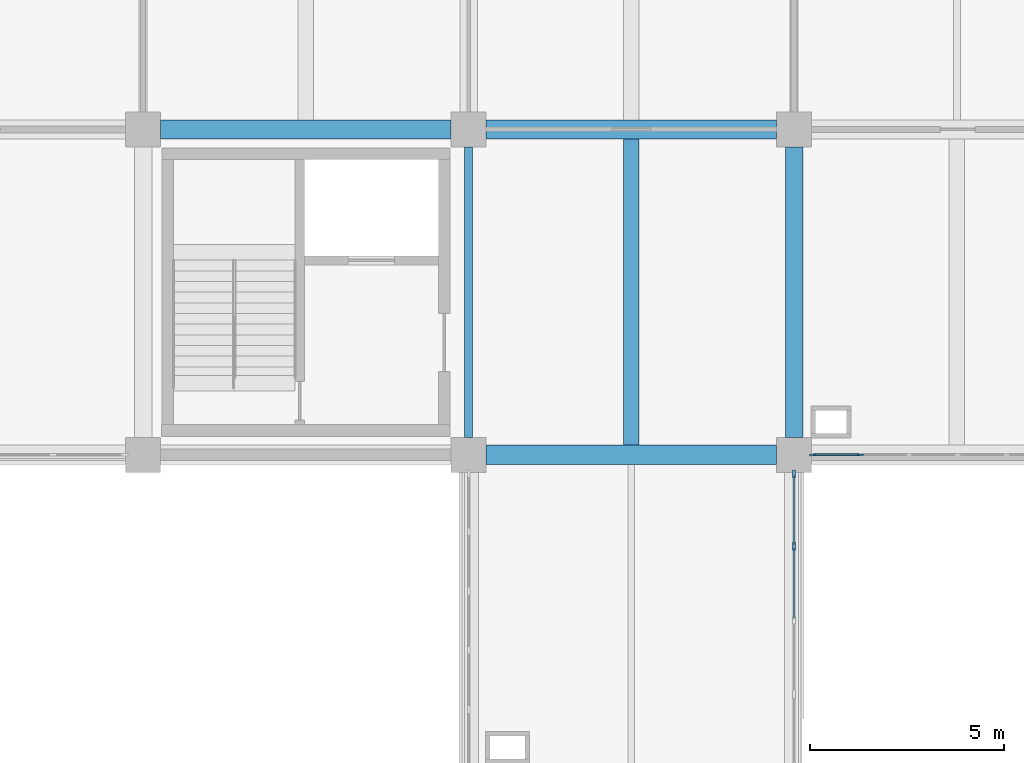
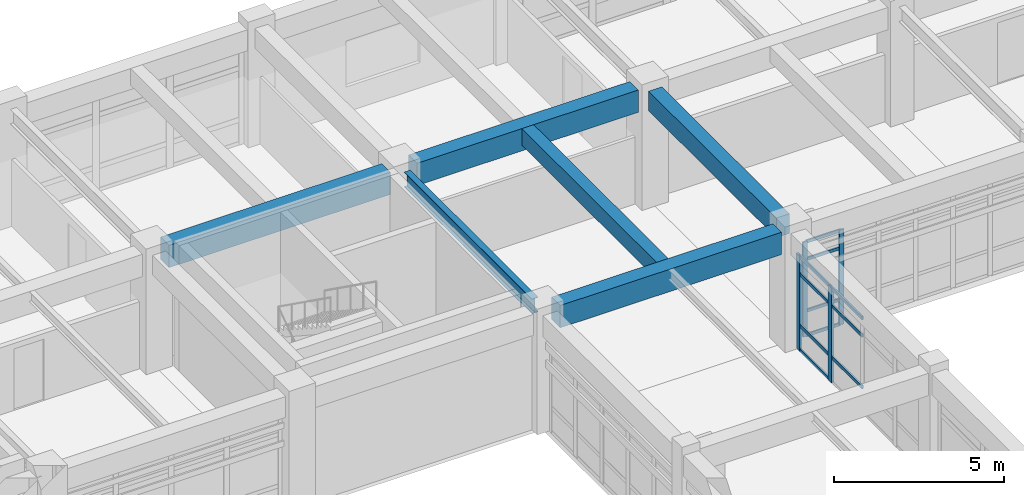
# One storey, part 41 of 99: 15 members, 6 beams, 2 elements without a shape of their own.
"""IFC4 building model written with IfcOpenShell, lengths in metres."""

import ifcopenshell
import ifcopenshell.guid

model = None  # the IFC model being written
_history = None  # IfcOwnerHistory: only IFC2X3 demands one
_inside = {}  # id of a spatial element -> (the spatial element, [elements in it])
_under = {}  # id of a project, library or spatial element -> (it, [spatial elements below it])
_declared = {}  # id of a project -> (the project, [libraries it declares])
_typed = {}  # id of a type object -> (the type object, [elements of that type])
_made_of = {}  # id of a material, layer set ... -> (it, [elements and type objects made of it])


def new_model(schema):
    """Start an empty IFC model of exactly this schema.

    Asked for "IFC4X3", IfcOpenShell would pick the latest addendum, in which some entities
    have other attributes; the version numbers below select the first issue.
    IFC2X3 requires an IfcOwnerHistory on every rooted entity: one is made here for all.
    """
    global model, _history
    if schema == "IFC4X3":
        model = ifcopenshell.file(schema_version=(4, 3, 0, 0))
    else:
        model = ifcopenshell.file(schema=schema)
    _inside.clear()
    _under.clear()
    _declared.clear()
    _typed.clear()
    _made_of.clear()
    _history = None
    if model.schema == "IFC2X3":
        org = make("IfcOrganization", Name="unknown")
        user = make(
            "IfcPersonAndOrganization",
            ThePerson=make("IfcPerson", FamilyName="unknown"),
            TheOrganization=org,
        )
        app = make(
            "IfcApplication",
            ApplicationDeveloper=org,
            Version="unknown",
            ApplicationFullName="unknown",
            ApplicationIdentifier="unknown",
        )
        _history = make(
            "IfcOwnerHistory",
            OwningUser=user,
            OwningApplication=app,
            ChangeAction="ADDED",
            CreationDate=0,
        )
    return model


def make(cls, **values):
    """One entity of the class cls with the attributes given. An attribute that is None is left unset."""
    return model.create_entity(
        cls, **{name: value for name, value in values.items() if value is not None}
    )


def rooted(cls, **values):
    """An entity with a GlobalId (a new one), such as an element, a storey or a relation."""
    return make(cls, GlobalId=ifcopenshell.guid.new(), OwnerHistory=_history, **values)


def si_unit(unit_type, name, prefix=None):
    """IfcSIUnit, for example si_unit("LENGTHUNIT", "METRE", prefix="MILLI")."""
    return make("IfcSIUnit", UnitType=unit_type, Prefix=prefix, Name=name)


def assignment(units):
    """IfcUnitAssignment: the units of a project."""
    return None if units is None else make("IfcUnitAssignment", Units=units)


def point(xyz):
    """IfcCartesianPoint."""
    return None if xyz is None else make("IfcCartesianPoint", Coordinates=xyz)


def direction(xyz):
    """IfcDirection."""
    return None if xyz is None else make("IfcDirection", DirectionRatios=xyz)


def frame(location, z_axis=None, x_axis=None):
    """IfcAxis2Placement3D, a coordinate frame: its origin and axes. An axis left out is left unset."""
    return make(
        "IfcAxis2Placement3D",
        Location=point(location),
        Axis=direction(z_axis),
        RefDirection=direction(x_axis),
    )


def frame_2d(location, x_axis=None):
    """IfcAxis2Placement2D, a coordinate frame in the plane: its origin and x axis."""
    return make(
        "IfcAxis2Placement2D", Location=point(location), RefDirection=direction(x_axis)
    )


def origin():
    """The frame at (0, 0, 0) with its axes left unset."""
    return frame((0.0, 0.0, 0.0))


def origin_2d():
    """The frame at (0, 0) in the plane with its x axis left unset."""
    return frame_2d((0.0, 0.0))


def place(relative_to, where):
    """IfcLocalPlacement: puts the frame where relative to a parent placement (None: the world)."""
    return make(
        "IfcLocalPlacement", PlacementRelTo=relative_to, RelativePlacement=where
    )


def context(
    kind, dimensions, precision=None, world=None, true_north=None, identifier=None
):
    """IfcGeometricRepresentationContext, for example the 3D "Model" context."""
    return make(
        "IfcGeometricRepresentationContext",
        ContextIdentifier=identifier,
        ContextType=kind,
        CoordinateSpaceDimension=dimensions,
        Precision=precision,
        WorldCoordinateSystem=world,
        TrueNorth=true_north,
    )


def subcontext(parent, identifier, kind, view, scale=None):
    """IfcGeometricRepresentationSubContext, for example "Body" below "Model"."""
    return make(
        "IfcGeometricRepresentationSubContext",
        ContextIdentifier=identifier,
        ContextType=kind,
        ParentContext=parent,
        TargetScale=scale,
        TargetView=view,
    )


def project(units=None, contexts=None):
    """IfcProject with its units and contexts."""
    return rooted(
        "IfcProject",
        Name="project",
        RepresentationContexts=contexts,
        UnitsInContext=assignment(units),
    )


def spatial(cls, under=None, at=None, **own):
    """A site, building, storey or space (cls), placed at a placement, below another one or the project."""
    s = rooted(cls, ObjectPlacement=at, **own)
    if under is not None:
        _under.setdefault(under.id(), (under, []))[1].append(s)
    return s


def profile(cls, at=None, kind="AREA", **sizes):
    """A parametric profile (cls). Its sizes go by their IFC names, for example OverallWidth=200.0."""
    return make(cls, ProfileType=kind, Position=at, **sizes)


def rectangle(**sizes):
    """IfcRectangleProfileDef."""
    return profile("IfcRectangleProfileDef", **sizes)


def i_section(**sizes):
    """IfcIShapeProfileDef."""
    return profile("IfcIShapeProfileDef", **sizes)


def extrude(swept, where, along, depth):
    """IfcExtrudedAreaSolid: the profile swept, set in the frame where, extruded along a direction by depth."""
    return make(
        "IfcExtrudedAreaSolid",
        SweptArea=swept,
        Position=where,
        ExtrudedDirection=direction(along),
        Depth=depth,
    )


def shape(context_of_items, identifier, shape_type, items):
    """IfcShapeRepresentation: the items that make up one representation, for example the "Body"."""
    return make(
        "IfcShapeRepresentation",
        ContextOfItems=context_of_items,
        RepresentationIdentifier=identifier,
        RepresentationType=shape_type,
        Items=items,
    )


def material(Name=None, Category=None):
    """IfcMaterial."""
    return make("IfcMaterial", Name=Name, Category=Category)


def layer(
    of_material, thickness, ventilated=None, Name=None, Category=None, Priority=None
):
    """IfcMaterialLayer: one layer of a wall or slab, of a material (None: an air gap)."""
    return make(
        "IfcMaterialLayer",
        Material=of_material,
        LayerThickness=thickness,
        IsVentilated=ventilated,
        Name=Name,
        Category=Category,
        Priority=Priority,
    )


def layer_set(layers, Name=None):
    """IfcMaterialLayerSet."""
    return make("IfcMaterialLayerSet", MaterialLayers=layers, LayerSetName=Name)


def material_profile(
    of_material, cross_section, Name=None, Category=None, Priority=None
):
    """IfcMaterialProfile: a cross section and its material."""
    return make(
        "IfcMaterialProfile",
        Name=Name,
        Material=of_material,
        Profile=cross_section,
        Priority=Priority,
        Category=Category,
    )


def profile_set(profiles, Name=None, composite=None):
    """IfcMaterialProfileSet."""
    return make(
        "IfcMaterialProfileSet",
        Name=Name,
        MaterialProfiles=profiles,
        CompositeProfile=composite,
    )


def made_of(thing, what):
    """Note that an element or type object is made of a material, layer set ...; save() writes the relation."""
    if what is not None:
        _made_of.setdefault(what.id(), (what, []))[1].append(thing)
    return thing


def type_object(cls, material=None, **own):
    """A type object (cls), such as IfcWallType, which elements share."""
    return made_of(rooted(cls, **own), material)


def element(
    cls,
    number,
    at=None,
    inside=None,
    cuts=None,
    type_object=None,
    material=None,
    context=None,
    identifier="Body",
    shape_type=None,
    held_by="IfcProductDefinitionShape",
    body=None,
    shapes=None,
    **own,
):
    """One element of the class cls, such as IfcWall. Its Tag is "e" and its number.

    at: its placement. inside: the storey or other place that contains it. cuts: it is an
    opening in that element (IfcRelVoidsElement). A single representation is given by context,
    identifier, shape_type and body (its items); several are given by shapes. held_by: the class
    of the entity that holds the representations. save() writes the other relations.
    """
    e = rooted(cls, Tag="e%d" % number, ObjectPlacement=at, **own)
    if body is not None:
        shapes = [shape(context, identifier, shape_type, body)]
    if shapes is not None:
        e.Representation = make(held_by, Representations=shapes)
    if inside is not None:
        _inside.setdefault(inside.id(), (inside, []))[1].append(e)
    if cuts is not None:
        rooted(
            "IfcRelVoidsElement", RelatingBuildingElement=cuts, RelatedOpeningElement=e
        )
    if type_object is not None:
        _typed.setdefault(type_object.id(), (type_object, []))[1].append(e)
    return made_of(e, material)


def aggregate(whole, parts):
    """IfcRelAggregates: a whole, such as a stair, and the parts it consists of."""
    return rooted("IfcRelAggregates", RelatingObject=whole, RelatedObjects=parts)


def save(model, path):
    """Write the relations noted so far, then the file.

    IfcRelAggregates (storeys below a building ...), IfcRelContainedInSpatialStructure (elements
    in a storey), IfcRelDefinesByType, IfcRelAssociatesMaterial and IfcRelDeclares: one each for
    every whole, place, type object, material and project.
    """
    for whole, parts in _under.values():
        aggregate(whole, parts)
    for where, things in _inside.values():
        rooted(
            "IfcRelContainedInSpatialStructure",
            RelatedElements=things,
            RelatingStructure=where,
        )
    for kind, things in _typed.values():
        rooted("IfcRelDefinesByType", RelatedObjects=things, RelatingType=kind)
    for what, things in _made_of.values():
        rooted("IfcRelAssociatesMaterial", RelatedObjects=things, RelatingMaterial=what)
    for by, libraries in _declared.values():
        rooted("IfcRelDeclares", RelatingContext=by, RelatedDefinitions=libraries)
    model.write(path)


model = new_model("IFC4")

# Units and contexts
model_context = context("Model", 3, precision=1e-05, world=origin(), true_north=direction((0.0, 1.0)))
body_context = subcontext(model_context, "Body", "Model", "MODEL_VIEW")
ifc_project = project(units=[si_unit("LENGTHUNIT", "METRE"), si_unit("AREAUNIT", "SQUARE_METRE"), si_unit("VOLUMEUNIT", "CUBIC_METRE"), si_unit("PLANEANGLEUNIT", "RADIAN"), si_unit("MASSUNIT", "GRAM", prefix="KILO")], contexts=[model_context])

# Site, building, storey
site_placement = place(None, origin())
site = spatial("IfcSite", under=ifc_project, at=site_placement, CompositionType="ELEMENT")
building_placement = place(site_placement, origin())
building = spatial("IfcBuilding", under=site, at=building_placement, Name="Porcellanite Civic Hall", CompositionType="ELEMENT")
storey_placement = place(building_placement, frame((0.0, 0.0, 5.760009765625)))
storey = spatial("IfcBuildingStorey", under=building, at=storey_placement, Name="L01", CompositionType="ELEMENT", Elevation=5.760009765625)

# Beams
ifc_material_1 = material(Name="Concrete N50 (50 MPa)", Category="concrete")
ifc_material_profile_1 = material_profile(ifc_material_1, rectangle(XDim=0.39990234375, YDim=0.60009765625, at=origin_2d()), Name="RC-400x600")
ifc_profile_set_1 = profile_set([ifc_material_profile_1], Name="Concrete N50 (50 MPa)")
beam_type_1 = type_object("IfcBeamType", Name="BM-RC600", PredefinedType="JOIST", material=ifc_profile_set_1)
beam_1_placement = place(storey_placement, frame((121.800048828125, 101.049560546875, 3.89990234375), z_axis=(0.0, 1.0, 0.0), x_axis=(-1.0, 0.0, 0.0)))
element("IfcBeam", 1, at=beam_1_placement, inside=storey, type_object=beam_type_1, Name="Secondary joist L01 15-13", PredefinedType="JOIST", context=body_context, shape_type="SweptSolid", body=[
    extrude(rectangle(XDim=0.39990234375, YDim=0.60009765625, at=origin_2d()), origin(), (0.0, 0.0, 1.0), 7.90087890625),
])
ifc_material_2 = material(Name="Concrete N50 (50 MPa)", Category="concrete")
ifc_material_profile_2 = material_profile(ifc_material_2, rectangle(XDim=0.449951171875, YDim=0.699951171875, at=origin_2d()), Name="RC-450x700")
ifc_profile_set_2 = profile_set([ifc_material_profile_2], Name="Concrete N50 (50 MPa)")
beam_type_2 = type_object("IfcBeamType", Name="BM-RC700", PredefinedType="BEAM", material=ifc_profile_set_2)
beam_2_placement = place(storey_placement, frame((126.0, 101.24951171875, 3.85009765625), z_axis=(0.0, 1.0, 0.0), x_axis=(-1.0, 0.0, 0.0)))
element("IfcBeam", 2, at=beam_2_placement, inside=storey, type_object=beam_type_2, Name="Beam Y L01 16-13", PredefinedType="BEAM", context=body_context, shape_type="SweptSolid", body=[
    extrude(rectangle(XDim=0.449951171875, YDim=0.699951171875, at=origin_2d()), origin(), (0.0, 0.0, 1.0), 7.5009765625),
])
ifc_material_3 = material(Name="Concrete N50 (50 MPa)", Category="concrete")
ifc_material_profile_3 = material_profile(ifc_material_3, rectangle(XDim=0.5, YDim=0.800048828125, at=origin_2d()), Name="RC-500x800")
ifc_profile_set_3 = profile_set([ifc_material_profile_3], Name="Concrete N50 (50 MPa)")
beam_type_3 = type_object("IfcBeamType", Name="BM-RC800", PredefinedType="BEAM", material=ifc_profile_set_3)
for number, where, z_axis, x_axis, name in (
    (3, (109.6494140625, 109.199951171875, 3.800048828125), (1.0, 0.0, 0.0), (0.0, 1.0, 0.0), "Beam X L01 14-14"),
    (4, (118.049560546875, 100.800048828125, 3.800048828125), (1.0, 0.0, 0.0), (0.0, 1.0, 0.0), "Beam X L01 15-13"),
    (5, (118.049560546875, 109.199951171875, 3.800048828125), (1.0, 0.0, 0.0), (0.0, 1.0, 0.0), "Beam X L01 15-14"),
):
    element("IfcBeam", number, at=place(storey_placement, frame(where, z_axis=z_axis, x_axis=x_axis)), inside=storey, type_object=beam_type_3, Name=name, PredefinedType="BEAM", context=body_context, shape_type="SweptSolid", body=[
        extrude(rectangle(XDim=0.5, YDim=0.800048828125, at=origin_2d()), origin(), (0.0, 0.0, 1.0), 7.5009765625),
    ])

# Curtain wall, members
ifc_material_4 = material(Name="Anodised aluminium and solar laminated glass", Category="aluminium")
ifc_layer_1 = layer(ifc_material_4, 0.179931640625)
ifc_layer_set_1 = layer_set([ifc_layer_1], Name="Anodised aluminium and solar laminated glass")
curtain_wall_type_1 = type_object("IfcCurtainWallType", Name="CW-SYS03", PredefinedType="NOTDEFINED", material=ifc_layer_set_1)
curtain_wall_1_placement = place(storey_placement, origin())
curtain_wall_1 = element("IfcCurtainWall", 6, at=curtain_wall_1_placement, inside=storey, type_object=curtain_wall_type_1, Name="Curtain wall CW-114", PredefinedType="NOTDEFINED")
ifc_material_5 = material(Name="Anodised aluminium 6063-T6", Category="aluminium")
ifc_material_profile_4 = material_profile(ifc_material_5, rectangle(XDim=0.080078125, YDim=0.2099609375, at=origin_2d()), Name="AL-80x210")
ifc_profile_set_4 = profile_set([ifc_material_profile_4], Name="Anodised aluminium 6063-T6")
member_type_1 = type_object("IfcMemberType", Name="CWM-02", PredefinedType="MULLION", material=ifc_profile_set_4)
member_1_placement = place(storey_placement, frame((126.0, 100.30908203125, 0.0), z_axis=(0.0, 0.0, 1.0), x_axis=(1.0, 0.0, 0.0)))
member_1 = element("IfcMember", 7, at=member_1_placement, type_object=member_type_1, Name="CW-114 mullion 1", PredefinedType="MULLION", context=body_context, shape_type="SweptSolid", body=[
    extrude(rectangle(XDim=0.080078125, YDim=0.2099609375, at=origin_2d()), origin(), (0.0, 0.0, 1.0), 3.39990234375),
])
member_2_placement = place(storey_placement, frame((126.0, 98.443359375, 0.0), z_axis=(0.0, 0.0, 1.0), x_axis=(1.0, 0.0, 0.0)))
member_2 = element("IfcMember", 8, at=member_2_placement, type_object=member_type_1, Name="CW-114 mullion 2", PredefinedType="MULLION", context=body_context, shape_type="SweptSolid", body=[
    extrude(rectangle(XDim=0.080078125, YDim=0.2099609375, at=origin_2d()), origin(), (0.0, 0.0, 1.0), 3.39990234375),
])

ifc_material_6 = material(Name="Anodised aluminium and solar laminated glass", Category="aluminium")
ifc_layer_2 = layer(ifc_material_6, 0.179931640625)
ifc_layer_set_2 = layer_set([ifc_layer_2], Name="Anodised aluminium and solar laminated glass")
curtain_wall_type_2 = type_object("IfcCurtainWallType", Name="CW-SYS07", PredefinedType="NOTDEFINED", material=ifc_layer_set_2)
curtain_wall_2_placement = place(storey_placement, origin())
curtain_wall_2 = element("IfcCurtainWall", 9, at=curtain_wall_2_placement, inside=storey, type_object=curtain_wall_type_2, Name="Curtain wall CW-117", PredefinedType="NOTDEFINED")
ifc_material_7 = material(Name="Anodised aluminium 6063-T6", Category="aluminium")
ifc_material_profile_5 = material_profile(ifc_material_7, rectangle(XDim=0.06005859375, YDim=0.159912109375, at=origin_2d()), Name="AL-60x160")
ifc_profile_set_5 = profile_set([ifc_material_profile_5], Name="Anodised aluminium 6063-T6")
member_type_2 = type_object("IfcMemberType", Name="CWM-07", PredefinedType="MULLION", material=ifc_profile_set_5)
member_3_placement = place(storey_placement, frame((127.708984375, 100.800048828125, 0.0), z_axis=(0.0, 0.0, 1.0), x_axis=(0.0, -1.0, 0.0)))
member_3 = element("IfcMember", 10, at=member_3_placement, type_object=member_type_2, Name="CW-117 mullion 6", PredefinedType="MULLION", context=body_context, shape_type="SweptSolid", body=[
    extrude(rectangle(XDim=0.06005859375, YDim=0.159912109375, at=origin_2d()), origin(), (0.0, 0.0, 1.0), 3.39990234375),
])
member_4_placement = place(storey_placement, frame((126.48095703125, 100.800048828125, 0.0), z_axis=(0.0, 0.0, 1.0), x_axis=(0.0, -1.0, 0.0)))
member_4 = element("IfcMember", 11, at=member_4_placement, type_object=member_type_2, Name="CW-117 mullion 7", PredefinedType="MULLION", context=body_context, shape_type="SweptSolid", body=[
    extrude(rectangle(XDim=0.06005859375, YDim=0.159912109375, at=origin_2d()), origin(), (0.0, 0.0, 1.0), 3.39990234375),
])

# Member
ifc_material_8 = material(Name="Anodised aluminium 6063-T6", Category="aluminium")
ifc_material_profile_6 = material_profile(ifc_material_8, rectangle(XDim=0.054931640625, YDim=0.1201171875, at=origin_2d()), Name="AL-55x120")
ifc_profile_set_6 = profile_set([ifc_material_profile_6], Name="Anodised aluminium 6063-T6")
member_type_3 = type_object("IfcMemberType", Name="CWT-04", PredefinedType="USERDEFINED", material=ifc_profile_set_6)
member_5_placement = place(storey_placement, frame((126.0, 100.26904296875, 0.027587890625), z_axis=(0.0, -1.0, 0.0), x_axis=(1.0, 0.0, 0.0)))
member_5 = element("IfcMember", 12, at=member_5_placement, type_object=member_type_3, Name="CW-114 transom 1.1", ObjectType="TRANSOM", PredefinedType="USERDEFINED", context=body_context, shape_type="SweptSolid", body=[
    extrude(rectangle(XDim=0.054931640625, YDim=0.1201171875, at=origin_2d()), origin(), (0.0, 0.0, 1.0), 1.785888671875),
])

member_6_placement = place(storey_placement, frame((126.0, 100.26904296875, 0.89990234375), z_axis=(0.0, -1.0, 0.0), x_axis=(1.0, 0.0, 0.0)))
member_6 = element("IfcMember", 13, at=member_6_placement, type_object=member_type_3, Name="CW-114 transom 1.2", ObjectType="TRANSOM", PredefinedType="USERDEFINED", context=body_context, shape_type="SweptSolid", body=[
    extrude(rectangle(XDim=0.054931640625, YDim=0.1201171875, at=origin_2d()), origin(), (0.0, 0.0, 1.0), 1.785888671875),
])

member_7_placement = place(storey_placement, frame((126.0, 100.26904296875, 2.75), z_axis=(0.0, -1.0, 0.0), x_axis=(1.0, 0.0, 0.0)))
member_7 = element("IfcMember", 14, at=member_7_placement, type_object=member_type_3, Name="CW-114 transom 1.3", ObjectType="TRANSOM", PredefinedType="USERDEFINED", context=body_context, shape_type="SweptSolid", body=[
    extrude(rectangle(XDim=0.054931640625, YDim=0.1201171875, at=origin_2d()), origin(), (0.0, 0.0, 1.0), 1.785888671875),
])

member_8_placement = place(storey_placement, frame((126.0, 100.26904296875, 3.37255859375), z_axis=(0.0, -1.0, 0.0), x_axis=(1.0, 0.0, 0.0)))
member_8 = element("IfcMember", 15, at=member_8_placement, type_object=member_type_3, Name="CW-114 transom 1.4", ObjectType="TRANSOM", PredefinedType="USERDEFINED", context=body_context, shape_type="SweptSolid", body=[
    extrude(rectangle(XDim=0.054931640625, YDim=0.1201171875, at=origin_2d()), origin(), (0.0, 0.0, 1.0), 1.785888671875),
])

member_9_placement = place(storey_placement, frame((126.0, 98.4033203125, 0.89990234375), z_axis=(0.0, -1.0, 0.0), x_axis=(1.0, 0.0, 0.0)))
member_9 = element("IfcMember", 16, at=member_9_placement, type_object=member_type_3, Name="CW-114 transom 2.2", ObjectType="TRANSOM", PredefinedType="USERDEFINED", context=body_context, shape_type="SweptSolid", body=[
    extrude(rectangle(XDim=0.054931640625, YDim=0.1201171875, at=origin_2d()), origin(), (0.0, 0.0, 1.0), 1.825927734375),
])

member_10_placement = place(storey_placement, frame((126.0, 98.4033203125, 2.75), z_axis=(0.0, -1.0, 0.0), x_axis=(1.0, 0.0, 0.0)))
member_10 = element("IfcMember", 17, at=member_10_placement, type_object=member_type_3, Name="CW-114 transom 2.3", ObjectType="TRANSOM", PredefinedType="USERDEFINED", context=body_context, shape_type="SweptSolid", body=[
    extrude(rectangle(XDim=0.054931640625, YDim=0.1201171875, at=origin_2d()), origin(), (0.0, 0.0, 1.0), 1.825927734375),
])

member_11_placement = place(storey_placement, frame((126.0, 98.4033203125, 3.37255859375), z_axis=(0.0, -1.0, 0.0), x_axis=(1.0, 0.0, 0.0)))
member_11 = element("IfcMember", 18, at=member_11_placement, type_object=member_type_3, Name="CW-114 transom 2.4", ObjectType="TRANSOM", PredefinedType="USERDEFINED", context=body_context, shape_type="SweptSolid", body=[
    extrude(rectangle(XDim=0.054931640625, YDim=0.1201171875, at=origin_2d()), origin(), (0.0, 0.0, 1.0), 1.825927734375),
])

aggregate(curtain_wall_1, [member_1, member_2, member_5, member_6, member_7, member_8, member_9, member_10, member_11])

ifc_material_9 = material(Name="Anodised aluminium 6063-T6", Category="aluminium")
ifc_material_profile_7 = material_profile(ifc_material_9, rectangle(XDim=0.050048828125, YDim=0.110107421875, at=origin_2d()), Name="AL-50x110")
ifc_profile_set_7 = profile_set([ifc_material_profile_7], Name="Anodised aluminium 6063-T6")
member_type_4 = type_object("IfcMemberType", Name="CWT-07", PredefinedType="USERDEFINED", material=ifc_profile_set_7)
member_12_placement = place(storey_placement, frame((127.678955078125, 100.800048828125, 0.02490234375), z_axis=(-1.0, 0.0, 0.0), x_axis=(0.0, -1.0, 0.0)))
member_12 = element("IfcMember", 19, at=member_12_placement, type_object=member_type_4, Name="CW-117 transom 6.1", ObjectType="TRANSOM", PredefinedType="USERDEFINED", context=body_context, shape_type="SweptSolid", body=[
    extrude(rectangle(XDim=0.050048828125, YDim=0.110107421875, at=origin_2d()), origin(), (0.0, 0.0, 1.0), 1.16796875),
])

member_13_placement = place(storey_placement, frame((127.678955078125, 100.800048828125, 0.89990234375), z_axis=(-1.0, 0.0, 0.0), x_axis=(0.0, -1.0, 0.0)))
member_13 = element("IfcMember", 20, at=member_13_placement, type_object=member_type_4, Name="CW-117 transom 6.2", ObjectType="TRANSOM", PredefinedType="USERDEFINED", context=body_context, shape_type="SweptSolid", body=[
    extrude(rectangle(XDim=0.050048828125, YDim=0.110107421875, at=origin_2d()), origin(), (0.0, 0.0, 1.0), 1.16796875),
])

member_14_placement = place(storey_placement, frame((127.678955078125, 100.800048828125, 2.75), z_axis=(-1.0, 0.0, 0.0), x_axis=(0.0, -1.0, 0.0)))
member_14 = element("IfcMember", 21, at=member_14_placement, type_object=member_type_4, Name="CW-117 transom 6.3", ObjectType="TRANSOM", PredefinedType="USERDEFINED", context=body_context, shape_type="SweptSolid", body=[
    extrude(rectangle(XDim=0.050048828125, YDim=0.110107421875, at=origin_2d()), origin(), (0.0, 0.0, 1.0), 1.16796875),
])

member_15_placement = place(storey_placement, frame((127.678955078125, 100.800048828125, 3.375), z_axis=(-1.0, 0.0, 0.0), x_axis=(0.0, -1.0, 0.0)))
member_15 = element("IfcMember", 22, at=member_15_placement, type_object=member_type_4, Name="CW-117 transom 6.4", ObjectType="TRANSOM", PredefinedType="USERDEFINED", context=body_context, shape_type="SweptSolid", body=[
    extrude(rectangle(XDim=0.050048828125, YDim=0.110107421875, at=origin_2d()), origin(), (0.0, 0.0, 1.0), 1.16796875),
])

aggregate(curtain_wall_2, [member_3, member_4, member_12, member_13, member_14, member_15])

# Beam
ifc_material_10 = material(Name="Steel Grade 350", Category="steel")
ifc_material_profile_8 = material_profile(ifc_material_10, i_section(OverallWidth=0.208984375, OverallDepth=0.528076171875, WebThickness=0.009521484375, FlangeThickness=0.01318359375, FilletRadius=0.013916015625, at=origin_2d()), Name="530UB82.0")
ifc_profile_set_8 = profile_set([ifc_material_profile_8], Name="Steel Grade 350")
beam_type_4 = type_object("IfcBeamType", Name="RAF-530UB82", PredefinedType="BEAM", material=ifc_profile_set_8)
beam_3_placement = place(storey_placement, frame((117.60009765625, 101.24951171875, 3.93603515625), z_axis=(0.0, 1.0, 0.0), x_axis=(-1.0, 0.0, 0.0)))
element("IfcBeam", 23, at=beam_3_placement, inside=storey, type_object=beam_type_4, Name="Beam Y L01 15-13", PredefinedType="BEAM", context=body_context, shape_type="SweptSolid", body=[
    extrude(i_section(OverallWidth=0.208984375, OverallDepth=0.528076171875, WebThickness=0.009521484375, FlangeThickness=0.01318359375, FilletRadius=0.013916015625, at=origin_2d()), origin(), (0.0, 0.0, 1.0), 7.5009765625),
])

save(model, "model.ifc")
